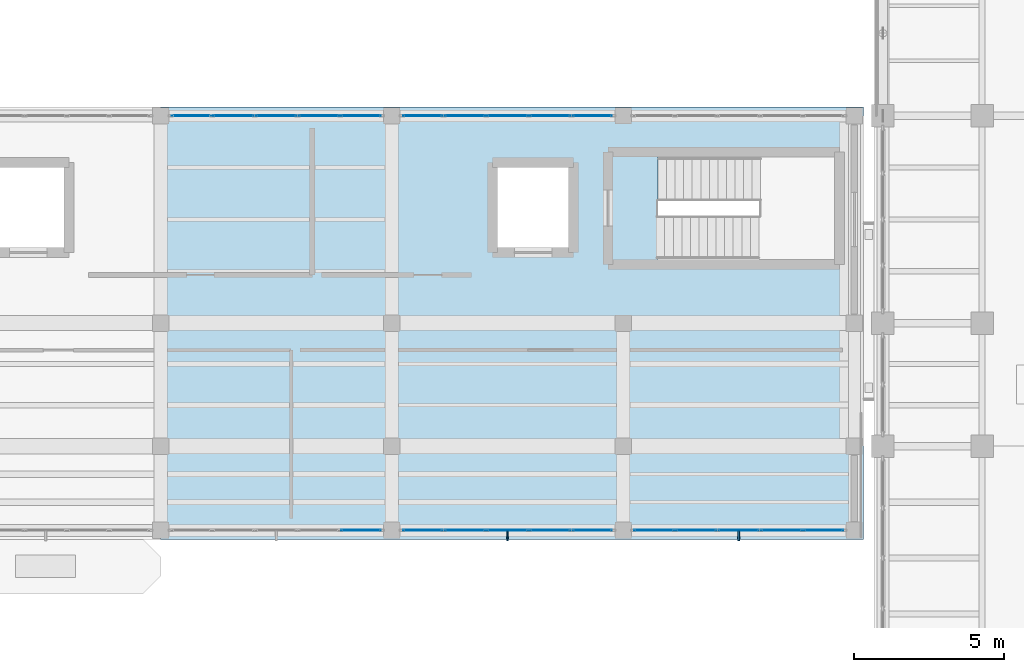
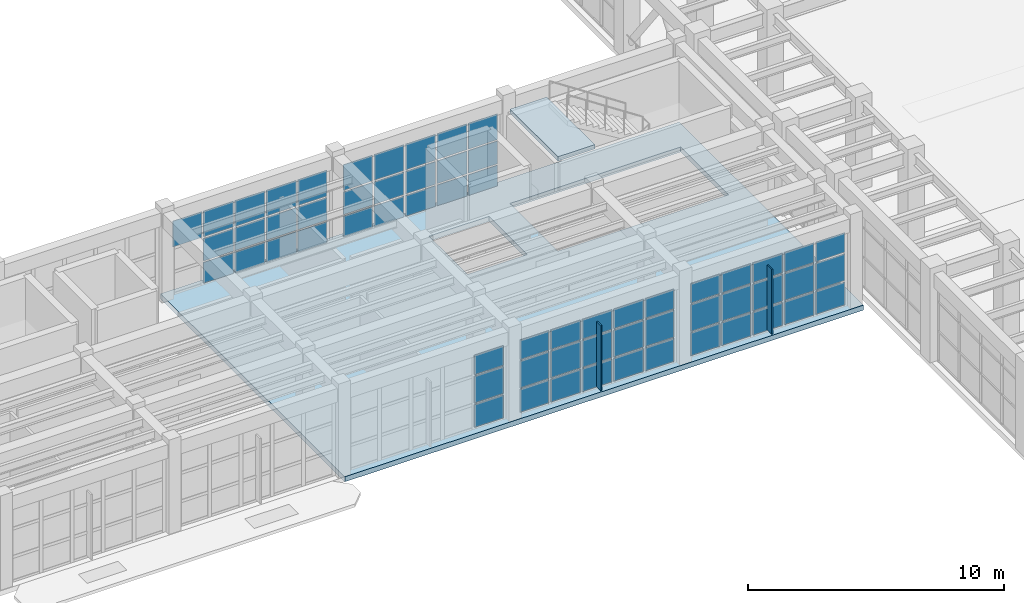
# One storey, part 57 of 85: 63 plates, 2 slabs, 6 elements without a shape of their own.
"""IFC4 building model written with IfcOpenShell, lengths in metres."""

import ifcopenshell
import ifcopenshell.guid

model = None  # the IFC model being written
_history = None  # IfcOwnerHistory: only IFC2X3 demands one
_inside = {}  # id of a spatial element -> (the spatial element, [elements in it])
_under = {}  # id of a project, library or spatial element -> (it, [spatial elements below it])
_declared = {}  # id of a project -> (the project, [libraries it declares])
_typed = {}  # id of a type object -> (the type object, [elements of that type])
_made_of = {}  # id of a material, layer set ... -> (it, [elements and type objects made of it])


def new_model(schema):
    """Start an empty IFC model of exactly this schema.

    Asked for "IFC4X3", IfcOpenShell would pick the latest addendum, in which some entities
    have other attributes; the version numbers below select the first issue.
    IFC2X3 requires an IfcOwnerHistory on every rooted entity: one is made here for all.
    """
    global model, _history
    if schema == "IFC4X3":
        model = ifcopenshell.file(schema_version=(4, 3, 0, 0))
    else:
        model = ifcopenshell.file(schema=schema)
    _inside.clear()
    _under.clear()
    _declared.clear()
    _typed.clear()
    _made_of.clear()
    _history = None
    if model.schema == "IFC2X3":
        org = make("IfcOrganization", Name="unknown")
        user = make(
            "IfcPersonAndOrganization",
            ThePerson=make("IfcPerson", FamilyName="unknown"),
            TheOrganization=org,
        )
        app = make(
            "IfcApplication",
            ApplicationDeveloper=org,
            Version="unknown",
            ApplicationFullName="unknown",
            ApplicationIdentifier="unknown",
        )
        _history = make(
            "IfcOwnerHistory",
            OwningUser=user,
            OwningApplication=app,
            ChangeAction="ADDED",
            CreationDate=0,
        )
    return model


def make(cls, **values):
    """One entity of the class cls with the attributes given. An attribute that is None is left unset."""
    return model.create_entity(
        cls, **{name: value for name, value in values.items() if value is not None}
    )


def rooted(cls, **values):
    """An entity with a GlobalId (a new one), such as an element, a storey or a relation."""
    return make(cls, GlobalId=ifcopenshell.guid.new(), OwnerHistory=_history, **values)


def si_unit(unit_type, name, prefix=None):
    """IfcSIUnit, for example si_unit("LENGTHUNIT", "METRE", prefix="MILLI")."""
    return make("IfcSIUnit", UnitType=unit_type, Prefix=prefix, Name=name)


def assignment(units):
    """IfcUnitAssignment: the units of a project."""
    return None if units is None else make("IfcUnitAssignment", Units=units)


def point(xyz):
    """IfcCartesianPoint."""
    return None if xyz is None else make("IfcCartesianPoint", Coordinates=xyz)


def direction(xyz):
    """IfcDirection."""
    return None if xyz is None else make("IfcDirection", DirectionRatios=xyz)


def frame(location, z_axis=None, x_axis=None):
    """IfcAxis2Placement3D, a coordinate frame: its origin and axes. An axis left out is left unset."""
    return make(
        "IfcAxis2Placement3D",
        Location=point(location),
        Axis=direction(z_axis),
        RefDirection=direction(x_axis),
    )


def frame_2d(location, x_axis=None):
    """IfcAxis2Placement2D, a coordinate frame in the plane: its origin and x axis."""
    return make(
        "IfcAxis2Placement2D", Location=point(location), RefDirection=direction(x_axis)
    )


def origin():
    """The frame at (0, 0, 0) with its axes left unset."""
    return frame((0.0, 0.0, 0.0))


def origin_2d():
    """The frame at (0, 0) in the plane with its x axis left unset."""
    return frame_2d((0.0, 0.0))


def place(relative_to, where):
    """IfcLocalPlacement: puts the frame where relative to a parent placement (None: the world)."""
    return make(
        "IfcLocalPlacement", PlacementRelTo=relative_to, RelativePlacement=where
    )


def context(
    kind, dimensions, precision=None, world=None, true_north=None, identifier=None
):
    """IfcGeometricRepresentationContext, for example the 3D "Model" context."""
    return make(
        "IfcGeometricRepresentationContext",
        ContextIdentifier=identifier,
        ContextType=kind,
        CoordinateSpaceDimension=dimensions,
        Precision=precision,
        WorldCoordinateSystem=world,
        TrueNorth=true_north,
    )


def subcontext(parent, identifier, kind, view, scale=None):
    """IfcGeometricRepresentationSubContext, for example "Body" below "Model"."""
    return make(
        "IfcGeometricRepresentationSubContext",
        ContextIdentifier=identifier,
        ContextType=kind,
        ParentContext=parent,
        TargetScale=scale,
        TargetView=view,
    )


def project(units=None, contexts=None):
    """IfcProject with its units and contexts."""
    return rooted(
        "IfcProject",
        Name="project",
        RepresentationContexts=contexts,
        UnitsInContext=assignment(units),
    )


def spatial(cls, under=None, at=None, **own):
    """A site, building, storey or space (cls), placed at a placement, below another one or the project."""
    s = rooted(cls, ObjectPlacement=at, **own)
    if under is not None:
        _under.setdefault(under.id(), (under, []))[1].append(s)
    return s


def polyline(points):
    """IfcPolyline through the points."""
    return make("IfcPolyline", Points=[point(p) for p in points])


def profile(cls, at=None, kind="AREA", **sizes):
    """A parametric profile (cls). Its sizes go by their IFC names, for example OverallWidth=200.0."""
    return make(cls, ProfileType=kind, Position=at, **sizes)


def rectangle(**sizes):
    """IfcRectangleProfileDef."""
    return profile("IfcRectangleProfileDef", **sizes)


def outline(outer, holes=None, kind="AREA"):
    """IfcArbitraryClosedProfileDef: a profile drawn as a closed curve; with holes, ...WithVoids."""
    if holes is None:
        return make("IfcArbitraryClosedProfileDef", ProfileType=kind, OuterCurve=outer)
    return make(
        "IfcArbitraryProfileDefWithVoids",
        ProfileType=kind,
        OuterCurve=outer,
        InnerCurves=holes,
    )


def extrude(swept, where, along, depth):
    """IfcExtrudedAreaSolid: the profile swept, set in the frame where, extruded along a direction by depth."""
    return make(
        "IfcExtrudedAreaSolid",
        SweptArea=swept,
        Position=where,
        ExtrudedDirection=direction(along),
        Depth=depth,
    )


def shape(context_of_items, identifier, shape_type, items):
    """IfcShapeRepresentation: the items that make up one representation, for example the "Body"."""
    return make(
        "IfcShapeRepresentation",
        ContextOfItems=context_of_items,
        RepresentationIdentifier=identifier,
        RepresentationType=shape_type,
        Items=items,
    )


def material(Name=None, Category=None):
    """IfcMaterial."""
    return make("IfcMaterial", Name=Name, Category=Category)


def layer(
    of_material, thickness, ventilated=None, Name=None, Category=None, Priority=None
):
    """IfcMaterialLayer: one layer of a wall or slab, of a material (None: an air gap)."""
    return make(
        "IfcMaterialLayer",
        Material=of_material,
        LayerThickness=thickness,
        IsVentilated=ventilated,
        Name=Name,
        Category=Category,
        Priority=Priority,
    )


def layer_set(layers, Name=None):
    """IfcMaterialLayerSet."""
    return make("IfcMaterialLayerSet", MaterialLayers=layers, LayerSetName=Name)


def made_of(thing, what):
    """Note that an element or type object is made of a material, layer set ...; save() writes the relation."""
    if what is not None:
        _made_of.setdefault(what.id(), (what, []))[1].append(thing)
    return thing


def type_object(cls, material=None, **own):
    """A type object (cls), such as IfcWallType, which elements share."""
    return made_of(rooted(cls, **own), material)


def element(
    cls,
    number,
    at=None,
    inside=None,
    cuts=None,
    type_object=None,
    material=None,
    context=None,
    identifier="Body",
    shape_type=None,
    held_by="IfcProductDefinitionShape",
    body=None,
    shapes=None,
    **own,
):
    """One element of the class cls, such as IfcWall. Its Tag is "e" and its number.

    at: its placement. inside: the storey or other place that contains it. cuts: it is an
    opening in that element (IfcRelVoidsElement). A single representation is given by context,
    identifier, shape_type and body (its items); several are given by shapes. held_by: the class
    of the entity that holds the representations. save() writes the other relations.
    """
    e = rooted(cls, Tag="e%d" % number, ObjectPlacement=at, **own)
    if body is not None:
        shapes = [shape(context, identifier, shape_type, body)]
    if shapes is not None:
        e.Representation = make(held_by, Representations=shapes)
    if inside is not None:
        _inside.setdefault(inside.id(), (inside, []))[1].append(e)
    if cuts is not None:
        rooted(
            "IfcRelVoidsElement", RelatingBuildingElement=cuts, RelatedOpeningElement=e
        )
    if type_object is not None:
        _typed.setdefault(type_object.id(), (type_object, []))[1].append(e)
    return made_of(e, material)


def aggregate(whole, parts):
    """IfcRelAggregates: a whole, such as a stair, and the parts it consists of."""
    return rooted("IfcRelAggregates", RelatingObject=whole, RelatedObjects=parts)


def save(model, path):
    """Write the relations noted so far, then the file.

    IfcRelAggregates (storeys below a building ...), IfcRelContainedInSpatialStructure (elements
    in a storey), IfcRelDefinesByType, IfcRelAssociatesMaterial and IfcRelDeclares: one each for
    every whole, place, type object, material and project.
    """
    for whole, parts in _under.values():
        aggregate(whole, parts)
    for where, things in _inside.values():
        rooted(
            "IfcRelContainedInSpatialStructure",
            RelatedElements=things,
            RelatingStructure=where,
        )
    for kind, things in _typed.values():
        rooted("IfcRelDefinesByType", RelatedObjects=things, RelatingType=kind)
    for what, things in _made_of.values():
        rooted("IfcRelAssociatesMaterial", RelatedObjects=things, RelatingMaterial=what)
    for by, libraries in _declared.values():
        rooted("IfcRelDeclares", RelatingContext=by, RelatedDefinitions=libraries)
    model.write(path)


model = new_model("IFC4")

# Units and contexts
model_context = context("Model", 3, precision=1e-05, world=origin(), true_north=direction((0.0, 1.0)))
body_context = subcontext(model_context, "Body", "Model", "MODEL_VIEW")
ifc_project = project(units=[si_unit("LENGTHUNIT", "METRE"), si_unit("AREAUNIT", "SQUARE_METRE"), si_unit("VOLUMEUNIT", "CUBIC_METRE"), si_unit("PLANEANGLEUNIT", "RADIAN"), si_unit("MASSUNIT", "GRAM", prefix="KILO")], contexts=[model_context])

# Site, building, storey
site_placement = place(None, origin())
site = spatial("IfcSite", under=ifc_project, at=site_placement, CompositionType="ELEMENT")
building_placement = place(site_placement, origin())
building = spatial("IfcBuilding", under=site, at=building_placement, Name="Candilejo Ridge Gondola Terminal", CompositionType="ELEMENT")
storey_placement = place(building_placement, frame((0.0, 0.0, 4.5)))
storey = spatial("IfcBuildingStorey", under=building, at=storey_placement, Name="L01", CompositionType="ELEMENT", Elevation=4.5)

# Curtain wall, plates
ifc_material_1 = material(Name="Anodised aluminium AA 6063-T6", Category="aluminium")
ifc_layer_1 = layer(ifc_material_1, 0.169921875)
ifc_layer_set_1 = layer_set([ifc_layer_1], Name="ARC-CW-GALLERY-3200-710X359")
curtain_wall_type_1 = type_object("IfcCurtainWallType", Name="ARC-CW-GALLERY-3200-710X359", PredefinedType="NOTDEFINED", material=ifc_layer_set_1)
curtain_wall_1_placement = place(storey_placement, origin())
curtain_wall_1 = element("IfcCurtainWall", 1, at=curtain_wall_1_placement, inside=storey, type_object=curtain_wall_type_1, Name="Curtain wall V3 L01-076", PredefinedType="NOTDEFINED")
ifc_material_2 = material(Name="Low-E laminated double glazing 6+12A+6+1.52PVB+6 mm", Category="glass")
ifc_layer_2 = layer(ifc_material_2, 0.028076171875)
ifc_layer_set_2 = layer_set([ifc_layer_2], Name="ARC-CW-GLAZ-PANEL")
plate_type_1 = type_object("IfcPlateType", Name="ARC-CW-GLAZ-PANEL", PredefinedType="CURTAIN_PANEL", material=ifc_layer_set_2)
plate_1_placement = place(storey_placement, frame((110.878662109375, 36.699951171875, 2.28759765625), z_axis=(0.0, 0.0, 1.0), x_axis=(1.0, 0.0, 0.0)))
plate_1 = element("IfcPlate", 2, at=plate_1_placement, type_object=plate_type_1, Name="CW-71X35 panel 1.3", PredefinedType="CURTAIN_PANEL", context=body_context, shape_type="SweptSolid", body=[
    extrude(rectangle(XDim=1.3076171875, YDim=0.028076171875, at=origin_2d()), origin(), (0.0, 0.0, 1.0), 1.2275390625),
])
plate_2_placement = place(storey_placement, frame((112.280029296875, 36.699951171875, 0.0751953125), z_axis=(0.0, 0.0, 1.0), x_axis=(1.0, 0.0, 0.0)))
plate_2 = element("IfcPlate", 3, at=plate_2_placement, type_object=plate_type_1, Name="CW-71X35 panel 2.1", PredefinedType="CURTAIN_PANEL", context=body_context, shape_type="SweptSolid", body=[
    extrude(rectangle(XDim=1.344970703125, YDim=0.028076171875, at=origin_2d()), origin(), (0.0, 0.0, 1.0), 0.987548828125),
])
plate_3_placement = place(storey_placement, frame((112.280029296875, 36.699951171875, 1.1376953125), z_axis=(0.0, 0.0, 1.0), x_axis=(1.0, 0.0, 0.0)))
plate_3 = element("IfcPlate", 4, at=plate_3_placement, type_object=plate_type_1, Name="CW-71X35 panel 2.2", PredefinedType="CURTAIN_PANEL", context=body_context, shape_type="SweptSolid", body=[
    extrude(rectangle(XDim=1.344970703125, YDim=0.028076171875, at=origin_2d()), origin(), (0.0, 0.0, 1.0), 1.074951171875),
])
plate_4_placement = place(storey_placement, frame((112.280029296875, 36.699951171875, 2.28759765625), z_axis=(0.0, 0.0, 1.0), x_axis=(1.0, 0.0, 0.0)))
plate_4 = element("IfcPlate", 5, at=plate_4_placement, type_object=plate_type_1, Name="CW-71X35 panel 2.3", PredefinedType="CURTAIN_PANEL", context=body_context, shape_type="SweptSolid", body=[
    extrude(rectangle(XDim=1.344970703125, YDim=0.028076171875, at=origin_2d()), origin(), (0.0, 0.0, 1.0), 1.2275390625),
])
plate_5_placement = place(storey_placement, frame((113.699951171875, 36.699951171875, 0.0751953125), z_axis=(0.0, 0.0, 1.0), x_axis=(1.0, 0.0, 0.0)))
plate_5 = element("IfcPlate", 6, at=plate_5_placement, type_object=plate_type_1, Name="CW-71X35 panel 3.1", PredefinedType="CURTAIN_PANEL", context=body_context, shape_type="SweptSolid", body=[
    extrude(rectangle(XDim=1.344970703125, YDim=0.028076171875, at=origin_2d()), origin(), (0.0, 0.0, 1.0), 0.987548828125),
])
plate_6_placement = place(storey_placement, frame((113.699951171875, 36.699951171875, 1.1376953125), z_axis=(0.0, 0.0, 1.0), x_axis=(1.0, 0.0, 0.0)))
plate_6 = element("IfcPlate", 7, at=plate_6_placement, type_object=plate_type_1, Name="CW-71X35 panel 3.2", PredefinedType="CURTAIN_PANEL", context=body_context, shape_type="SweptSolid", body=[
    extrude(rectangle(XDim=1.344970703125, YDim=0.028076171875, at=origin_2d()), origin(), (0.0, 0.0, 1.0), 1.074951171875),
])
plate_7_placement = place(storey_placement, frame((113.699951171875, 36.699951171875, 2.28759765625), z_axis=(0.0, 0.0, 1.0), x_axis=(1.0, 0.0, 0.0)))
plate_7 = element("IfcPlate", 8, at=plate_7_placement, type_object=plate_type_1, Name="CW-71X35 panel 3.3", PredefinedType="CURTAIN_PANEL", context=body_context, shape_type="SweptSolid", body=[
    extrude(rectangle(XDim=1.344970703125, YDim=0.028076171875, at=origin_2d()), origin(), (0.0, 0.0, 1.0), 1.2275390625),
])
plate_8_placement = place(storey_placement, frame((115.1201171875, 36.699951171875, 0.0751953125), z_axis=(0.0, 0.0, 1.0), x_axis=(1.0, 0.0, 0.0)))
plate_8 = element("IfcPlate", 9, at=plate_8_placement, type_object=plate_type_1, Name="CW-71X35 panel 4.1", PredefinedType="CURTAIN_PANEL", context=body_context, shape_type="SweptSolid", body=[
    extrude(rectangle(XDim=1.344970703125, YDim=0.028076171875, at=origin_2d()), origin(), (0.0, 0.0, 1.0), 0.987548828125),
])
plate_9_placement = place(storey_placement, frame((115.1201171875, 36.699951171875, 1.1376953125), z_axis=(0.0, 0.0, 1.0), x_axis=(1.0, 0.0, 0.0)))
plate_9 = element("IfcPlate", 10, at=plate_9_placement, type_object=plate_type_1, Name="CW-71X35 panel 4.2", PredefinedType="CURTAIN_PANEL", context=body_context, shape_type="SweptSolid", body=[
    extrude(rectangle(XDim=1.344970703125, YDim=0.028076171875, at=origin_2d()), origin(), (0.0, 0.0, 1.0), 1.074951171875),
])
plate_10_placement = place(storey_placement, frame((115.1201171875, 36.699951171875, 2.28759765625), z_axis=(0.0, 0.0, 1.0), x_axis=(1.0, 0.0, 0.0)))
plate_10 = element("IfcPlate", 11, at=plate_10_placement, type_object=plate_type_1, Name="CW-71X35 panel 4.3", PredefinedType="CURTAIN_PANEL", context=body_context, shape_type="SweptSolid", body=[
    extrude(rectangle(XDim=1.344970703125, YDim=0.028076171875, at=origin_2d()), origin(), (0.0, 0.0, 1.0), 1.2275390625),
])
plate_11_placement = place(storey_placement, frame((116.521240234375, 36.699951171875, 0.0751953125), z_axis=(0.0, 0.0, 1.0), x_axis=(1.0, 0.0, 0.0)))
plate_11 = element("IfcPlate", 12, at=plate_11_placement, type_object=plate_type_1, Name="CW-71X35 panel 5.1", PredefinedType="CURTAIN_PANEL", context=body_context, shape_type="SweptSolid", body=[
    extrude(rectangle(XDim=1.3076171875, YDim=0.028076171875, at=origin_2d()), origin(), (0.0, 0.0, 1.0), 0.987548828125),
])
plate_12_placement = place(storey_placement, frame((116.521240234375, 36.699951171875, 1.1376953125), z_axis=(0.0, 0.0, 1.0), x_axis=(1.0, 0.0, 0.0)))
plate_12 = element("IfcPlate", 13, at=plate_12_placement, type_object=plate_type_1, Name="CW-71X35 panel 5.2", PredefinedType="CURTAIN_PANEL", context=body_context, shape_type="SweptSolid", body=[
    extrude(rectangle(XDim=1.3076171875, YDim=0.028076171875, at=origin_2d()), origin(), (0.0, 0.0, 1.0), 1.074951171875),
])
plate_13_placement = place(storey_placement, frame((116.521240234375, 36.699951171875, 2.28759765625), z_axis=(0.0, 0.0, 1.0), x_axis=(1.0, 0.0, 0.0)))
plate_13 = element("IfcPlate", 14, at=plate_13_placement, type_object=plate_type_1, Name="CW-71X35 panel 5.3", PredefinedType="CURTAIN_PANEL", context=body_context, shape_type="SweptSolid", body=[
    extrude(rectangle(XDim=1.3076171875, YDim=0.028076171875, at=origin_2d()), origin(), (0.0, 0.0, 1.0), 1.2275390625),
])
aggregate(curtain_wall_1, [plate_1, plate_2, plate_3, plate_4, plate_5, plate_6, plate_7, plate_8, plate_9, plate_10, plate_11, plate_12, plate_13])

ifc_material_3 = material(Name="Anodised aluminium AA 6063-T6", Category="aluminium")
ifc_layer_3 = layer(ifc_material_3, 0.169921875)
ifc_layer_set_3 = layer_set([ifc_layer_3], Name="ARC-CW-CONCOURSE-3600-710X359")
curtain_wall_type_2 = type_object("IfcCurtainWallType", Name="ARC-CW-CONCOURSE-3600-710X359", PredefinedType="NOTDEFINED", material=ifc_layer_set_3)
curtain_wall_2_placement = place(storey_placement, origin())
curtain_wall_2 = element("IfcCurtainWall", 15, at=curtain_wall_2_placement, inside=storey, type_object=curtain_wall_type_2, Name="Curtain wall V3 L01-077", PredefinedType="NOTDEFINED")
plate_14_placement = place(storey_placement, frame((116.521240234375, 22.89990234375, 0.074951171875), z_axis=(0.0, 0.0, 1.0), x_axis=(1.0, 0.0, 0.0)))
plate_14 = element("IfcPlate", 16, at=plate_14_placement, type_object=plate_type_1, Name="CW-71X35 panel 5.1", PredefinedType="CURTAIN_PANEL", context=body_context, shape_type="SweptSolid", body=[
    extrude(rectangle(XDim=1.3076171875, YDim=0.028076171875, at=origin_2d()), origin(), (0.0, 0.0, 1.0), 1.08740234375),
])
plate_15_placement = place(storey_placement, frame((116.521240234375, 22.89990234375, 1.237548828125), z_axis=(0.0, 0.0, 1.0), x_axis=(1.0, 0.0, 0.0)))
plate_15 = element("IfcPlate", 17, at=plate_15_placement, type_object=plate_type_1, Name="CW-71X35 panel 5.2", PredefinedType="CURTAIN_PANEL", context=body_context, shape_type="SweptSolid", body=[
    extrude(rectangle(XDim=1.3076171875, YDim=0.028076171875, at=origin_2d()), origin(), (0.0, 0.0, 1.0), 1.27490234375),
])
plate_16_placement = place(storey_placement, frame((116.521240234375, 22.89990234375, 2.58740234375), z_axis=(0.0, 0.0, 1.0), x_axis=(1.0, 0.0, 0.0)))
plate_16 = element("IfcPlate", 18, at=plate_16_placement, type_object=plate_type_1, Name="CW-71X35 panel 5.3", PredefinedType="CURTAIN_PANEL", context=body_context, shape_type="SweptSolid", body=[
    extrude(rectangle(XDim=1.3076171875, YDim=0.028076171875, at=origin_2d()), origin(), (0.0, 0.0, 1.0), 0.927490234375),
])
aggregate(curtain_wall_2, [plate_14, plate_15, plate_16])

curtain_wall_3_placement = place(storey_placement, origin())
curtain_wall_3 = element("IfcCurtainWall", 19, at=curtain_wall_3_placement, inside=storey, type_object=curtain_wall_type_1, Name="Curtain wall V3 L01-078", PredefinedType="NOTDEFINED")
plate_17_placement = place(storey_placement, frame((118.578857421875, 36.699951171875, 0.0751953125), z_axis=(0.0, 0.0, 1.0), x_axis=(1.0, 0.0, 0.0)))
plate_17 = element("IfcPlate", 20, at=plate_17_placement, type_object=plate_type_1, Name="CW-71X35 panel 1.1", PredefinedType="CURTAIN_PANEL", context=body_context, shape_type="SweptSolid", body=[
    extrude(rectangle(XDim=1.3076171875, YDim=0.028076171875, at=origin_2d()), origin(), (0.0, 0.0, 1.0), 0.987548828125),
])
plate_18_placement = place(storey_placement, frame((118.578857421875, 36.699951171875, 1.1376953125), z_axis=(0.0, 0.0, 1.0), x_axis=(1.0, 0.0, 0.0)))
plate_18 = element("IfcPlate", 21, at=plate_18_placement, type_object=plate_type_1, Name="CW-71X35 panel 1.2", PredefinedType="CURTAIN_PANEL", context=body_context, shape_type="SweptSolid", body=[
    extrude(rectangle(XDim=1.3076171875, YDim=0.028076171875, at=origin_2d()), origin(), (0.0, 0.0, 1.0), 1.074951171875),
])
plate_19_placement = place(storey_placement, frame((118.578857421875, 36.699951171875, 2.28759765625), z_axis=(0.0, 0.0, 1.0), x_axis=(1.0, 0.0, 0.0)))
plate_19 = element("IfcPlate", 22, at=plate_19_placement, type_object=plate_type_1, Name="CW-71X35 panel 1.3", PredefinedType="CURTAIN_PANEL", context=body_context, shape_type="SweptSolid", body=[
    extrude(rectangle(XDim=1.3076171875, YDim=0.028076171875, at=origin_2d()), origin(), (0.0, 0.0, 1.0), 1.2275390625),
])
plate_20_placement = place(storey_placement, frame((119.97998046875, 36.699951171875, 0.0751953125), z_axis=(0.0, 0.0, 1.0), x_axis=(1.0, 0.0, 0.0)))
plate_20 = element("IfcPlate", 23, at=plate_20_placement, type_object=plate_type_1, Name="CW-71X35 panel 2.1", PredefinedType="CURTAIN_PANEL", context=body_context, shape_type="SweptSolid", body=[
    extrude(rectangle(XDim=1.344970703125, YDim=0.028076171875, at=origin_2d()), origin(), (0.0, 0.0, 1.0), 0.987548828125),
])
plate_21_placement = place(storey_placement, frame((119.97998046875, 36.699951171875, 1.1376953125), z_axis=(0.0, 0.0, 1.0), x_axis=(1.0, 0.0, 0.0)))
plate_21 = element("IfcPlate", 24, at=plate_21_placement, type_object=plate_type_1, Name="CW-71X35 panel 2.2", PredefinedType="CURTAIN_PANEL", context=body_context, shape_type="SweptSolid", body=[
    extrude(rectangle(XDim=1.344970703125, YDim=0.028076171875, at=origin_2d()), origin(), (0.0, 0.0, 1.0), 1.074951171875),
])
plate_22_placement = place(storey_placement, frame((119.97998046875, 36.699951171875, 2.28759765625), z_axis=(0.0, 0.0, 1.0), x_axis=(1.0, 0.0, 0.0)))
plate_22 = element("IfcPlate", 25, at=plate_22_placement, type_object=plate_type_1, Name="CW-71X35 panel 2.3", PredefinedType="CURTAIN_PANEL", context=body_context, shape_type="SweptSolid", body=[
    extrude(rectangle(XDim=1.344970703125, YDim=0.028076171875, at=origin_2d()), origin(), (0.0, 0.0, 1.0), 1.2275390625),
])
plate_23_placement = place(storey_placement, frame((121.39990234375, 36.699951171875, 0.0751953125), z_axis=(0.0, 0.0, 1.0), x_axis=(1.0, 0.0, 0.0)))
plate_23 = element("IfcPlate", 26, at=plate_23_placement, type_object=plate_type_1, Name="CW-71X35 panel 3.1", PredefinedType="CURTAIN_PANEL", context=body_context, shape_type="SweptSolid", body=[
    extrude(rectangle(XDim=1.344970703125, YDim=0.028076171875, at=origin_2d()), origin(), (0.0, 0.0, 1.0), 0.987548828125),
])
plate_24_placement = place(storey_placement, frame((121.39990234375, 36.699951171875, 1.1376953125), z_axis=(0.0, 0.0, 1.0), x_axis=(1.0, 0.0, 0.0)))
plate_24 = element("IfcPlate", 27, at=plate_24_placement, type_object=plate_type_1, Name="CW-71X35 panel 3.2", PredefinedType="CURTAIN_PANEL", context=body_context, shape_type="SweptSolid", body=[
    extrude(rectangle(XDim=1.344970703125, YDim=0.028076171875, at=origin_2d()), origin(), (0.0, 0.0, 1.0), 1.074951171875),
])
plate_25_placement = place(storey_placement, frame((121.39990234375, 36.699951171875, 2.28759765625), z_axis=(0.0, 0.0, 1.0), x_axis=(1.0, 0.0, 0.0)))
plate_25 = element("IfcPlate", 28, at=plate_25_placement, type_object=plate_type_1, Name="CW-71X35 panel 3.3", PredefinedType="CURTAIN_PANEL", context=body_context, shape_type="SweptSolid", body=[
    extrude(rectangle(XDim=1.344970703125, YDim=0.028076171875, at=origin_2d()), origin(), (0.0, 0.0, 1.0), 1.2275390625),
])
plate_26_placement = place(storey_placement, frame((122.820068359375, 36.699951171875, 0.0751953125), z_axis=(0.0, 0.0, 1.0), x_axis=(1.0, 0.0, 0.0)))
plate_26 = element("IfcPlate", 29, at=plate_26_placement, type_object=plate_type_1, Name="CW-71X35 panel 4.1", PredefinedType="CURTAIN_PANEL", context=body_context, shape_type="SweptSolid", body=[
    extrude(rectangle(XDim=1.344970703125, YDim=0.028076171875, at=origin_2d()), origin(), (0.0, 0.0, 1.0), 0.987548828125),
])
plate_27_placement = place(storey_placement, frame((122.820068359375, 36.699951171875, 1.1376953125), z_axis=(0.0, 0.0, 1.0), x_axis=(1.0, 0.0, 0.0)))
plate_27 = element("IfcPlate", 30, at=plate_27_placement, type_object=plate_type_1, Name="CW-71X35 panel 4.2", PredefinedType="CURTAIN_PANEL", context=body_context, shape_type="SweptSolid", body=[
    extrude(rectangle(XDim=1.344970703125, YDim=0.028076171875, at=origin_2d()), origin(), (0.0, 0.0, 1.0), 1.074951171875),
])
plate_28_placement = place(storey_placement, frame((122.820068359375, 36.699951171875, 2.28759765625), z_axis=(0.0, 0.0, 1.0), x_axis=(1.0, 0.0, 0.0)))
plate_28 = element("IfcPlate", 31, at=plate_28_placement, type_object=plate_type_1, Name="CW-71X35 panel 4.3", PredefinedType="CURTAIN_PANEL", context=body_context, shape_type="SweptSolid", body=[
    extrude(rectangle(XDim=1.344970703125, YDim=0.028076171875, at=origin_2d()), origin(), (0.0, 0.0, 1.0), 1.2275390625),
])
plate_29_placement = place(storey_placement, frame((124.22119140625, 36.699951171875, 0.0751953125), z_axis=(0.0, 0.0, 1.0), x_axis=(1.0, 0.0, 0.0)))
plate_29 = element("IfcPlate", 32, at=plate_29_placement, type_object=plate_type_1, Name="CW-71X35 panel 5.1", PredefinedType="CURTAIN_PANEL", context=body_context, shape_type="SweptSolid", body=[
    extrude(rectangle(XDim=1.3076171875, YDim=0.028076171875, at=origin_2d()), origin(), (0.0, 0.0, 1.0), 0.987548828125),
])
plate_30_placement = place(storey_placement, frame((124.22119140625, 36.699951171875, 1.1376953125), z_axis=(0.0, 0.0, 1.0), x_axis=(1.0, 0.0, 0.0)))
plate_30 = element("IfcPlate", 33, at=plate_30_placement, type_object=plate_type_1, Name="CW-71X35 panel 5.2", PredefinedType="CURTAIN_PANEL", context=body_context, shape_type="SweptSolid", body=[
    extrude(rectangle(XDim=1.3076171875, YDim=0.028076171875, at=origin_2d()), origin(), (0.0, 0.0, 1.0), 1.074951171875),
])
plate_31_placement = place(storey_placement, frame((124.22119140625, 36.699951171875, 2.28759765625), z_axis=(0.0, 0.0, 1.0), x_axis=(1.0, 0.0, 0.0)))
plate_31 = element("IfcPlate", 34, at=plate_31_placement, type_object=plate_type_1, Name="CW-71X35 panel 5.3", PredefinedType="CURTAIN_PANEL", context=body_context, shape_type="SweptSolid", body=[
    extrude(rectangle(XDim=1.3076171875, YDim=0.028076171875, at=origin_2d()), origin(), (0.0, 0.0, 1.0), 1.2275390625),
])
aggregate(curtain_wall_3, [plate_17, plate_18, plate_19, plate_20, plate_21, plate_22, plate_23, plate_24, plate_25, plate_26, plate_27, plate_28, plate_29, plate_30, plate_31])

curtain_wall_4_placement = place(storey_placement, origin())
curtain_wall_4 = element("IfcCurtainWall", 35, at=curtain_wall_4_placement, inside=storey, type_object=curtain_wall_type_2, Name="Curtain wall V3 L01-079", PredefinedType="NOTDEFINED")
plate_32_placement = place(storey_placement, frame((118.578857421875, 22.89990234375, 0.074951171875), z_axis=(0.0, 0.0, 1.0), x_axis=(1.0, 0.0, 0.0)))
plate_32 = element("IfcPlate", 36, at=plate_32_placement, type_object=plate_type_1, Name="CW-71X35 panel 1.1", PredefinedType="CURTAIN_PANEL", context=body_context, shape_type="SweptSolid", body=[
    extrude(rectangle(XDim=1.3076171875, YDim=0.028076171875, at=origin_2d()), origin(), (0.0, 0.0, 1.0), 1.08740234375),
])
plate_33_placement = place(storey_placement, frame((118.578857421875, 22.89990234375, 1.237548828125), z_axis=(0.0, 0.0, 1.0), x_axis=(1.0, 0.0, 0.0)))
plate_33 = element("IfcPlate", 37, at=plate_33_placement, type_object=plate_type_1, Name="CW-71X35 panel 1.2", PredefinedType="CURTAIN_PANEL", context=body_context, shape_type="SweptSolid", body=[
    extrude(rectangle(XDim=1.3076171875, YDim=0.028076171875, at=origin_2d()), origin(), (0.0, 0.0, 1.0), 1.27490234375),
])
plate_34_placement = place(storey_placement, frame((118.578857421875, 22.89990234375, 2.58740234375), z_axis=(0.0, 0.0, 1.0), x_axis=(1.0, 0.0, 0.0)))
plate_34 = element("IfcPlate", 38, at=plate_34_placement, type_object=plate_type_1, Name="CW-71X35 panel 1.3", PredefinedType="CURTAIN_PANEL", context=body_context, shape_type="SweptSolid", body=[
    extrude(rectangle(XDim=1.3076171875, YDim=0.028076171875, at=origin_2d()), origin(), (0.0, 0.0, 1.0), 0.927490234375),
])
plate_35_placement = place(storey_placement, frame((119.97998046875, 22.89990234375, 0.074951171875), z_axis=(0.0, 0.0, 1.0), x_axis=(1.0, 0.0, 0.0)))
plate_35 = element("IfcPlate", 39, at=plate_35_placement, type_object=plate_type_1, Name="CW-71X35 panel 2.1", PredefinedType="CURTAIN_PANEL", context=body_context, shape_type="SweptSolid", body=[
    extrude(rectangle(XDim=1.344970703125, YDim=0.028076171875, at=origin_2d()), origin(), (0.0, 0.0, 1.0), 1.08740234375),
])
plate_36_placement = place(storey_placement, frame((119.97998046875, 22.89990234375, 1.237548828125), z_axis=(0.0, 0.0, 1.0), x_axis=(1.0, 0.0, 0.0)))
plate_36 = element("IfcPlate", 40, at=plate_36_placement, type_object=plate_type_1, Name="CW-71X35 panel 2.2", PredefinedType="CURTAIN_PANEL", context=body_context, shape_type="SweptSolid", body=[
    extrude(rectangle(XDim=1.344970703125, YDim=0.028076171875, at=origin_2d()), origin(), (0.0, 0.0, 1.0), 1.27490234375),
])
plate_37_placement = place(storey_placement, frame((119.97998046875, 22.89990234375, 2.58740234375), z_axis=(0.0, 0.0, 1.0), x_axis=(1.0, 0.0, 0.0)))
plate_37 = element("IfcPlate", 41, at=plate_37_placement, type_object=plate_type_1, Name="CW-71X35 panel 2.3", PredefinedType="CURTAIN_PANEL", context=body_context, shape_type="SweptSolid", body=[
    extrude(rectangle(XDim=1.344970703125, YDim=0.028076171875, at=origin_2d()), origin(), (0.0, 0.0, 1.0), 0.927490234375),
])
plate_38_placement = place(storey_placement, frame((121.39990234375, 22.89990234375, 0.074951171875), z_axis=(0.0, 0.0, 1.0), x_axis=(1.0, 0.0, 0.0)))
plate_38 = element("IfcPlate", 42, at=plate_38_placement, type_object=plate_type_1, Name="CW-71X35 panel 3.1", PredefinedType="CURTAIN_PANEL", context=body_context, shape_type="SweptSolid", body=[
    extrude(rectangle(XDim=1.344970703125, YDim=0.028076171875, at=origin_2d()), origin(), (0.0, 0.0, 1.0), 1.08740234375),
])
plate_39_placement = place(storey_placement, frame((121.39990234375, 22.89990234375, 1.237548828125), z_axis=(0.0, 0.0, 1.0), x_axis=(1.0, 0.0, 0.0)))
plate_39 = element("IfcPlate", 43, at=plate_39_placement, type_object=plate_type_1, Name="CW-71X35 panel 3.2", PredefinedType="CURTAIN_PANEL", context=body_context, shape_type="SweptSolid", body=[
    extrude(rectangle(XDim=1.344970703125, YDim=0.028076171875, at=origin_2d()), origin(), (0.0, 0.0, 1.0), 1.27490234375),
])
plate_40_placement = place(storey_placement, frame((121.39990234375, 22.89990234375, 2.58740234375), z_axis=(0.0, 0.0, 1.0), x_axis=(1.0, 0.0, 0.0)))
plate_40 = element("IfcPlate", 44, at=plate_40_placement, type_object=plate_type_1, Name="CW-71X35 panel 3.3", PredefinedType="CURTAIN_PANEL", context=body_context, shape_type="SweptSolid", body=[
    extrude(rectangle(XDim=1.344970703125, YDim=0.028076171875, at=origin_2d()), origin(), (0.0, 0.0, 1.0), 0.927490234375),
])
plate_41_placement = place(storey_placement, frame((122.820068359375, 22.89990234375, 0.074951171875), z_axis=(0.0, 0.0, 1.0), x_axis=(1.0, 0.0, 0.0)))
plate_41 = element("IfcPlate", 45, at=plate_41_placement, type_object=plate_type_1, Name="CW-71X35 panel 4.1", PredefinedType="CURTAIN_PANEL", context=body_context, shape_type="SweptSolid", body=[
    extrude(rectangle(XDim=1.344970703125, YDim=0.028076171875, at=origin_2d()), origin(), (0.0, 0.0, 1.0), 1.08740234375),
])
plate_42_placement = place(storey_placement, frame((122.820068359375, 22.89990234375, 1.237548828125), z_axis=(0.0, 0.0, 1.0), x_axis=(1.0, 0.0, 0.0)))
plate_42 = element("IfcPlate", 46, at=plate_42_placement, type_object=plate_type_1, Name="CW-71X35 panel 4.2", PredefinedType="CURTAIN_PANEL", context=body_context, shape_type="SweptSolid", body=[
    extrude(rectangle(XDim=1.344970703125, YDim=0.028076171875, at=origin_2d()), origin(), (0.0, 0.0, 1.0), 1.27490234375),
])
plate_43_placement = place(storey_placement, frame((122.820068359375, 22.89990234375, 2.58740234375), z_axis=(0.0, 0.0, 1.0), x_axis=(1.0, 0.0, 0.0)))
plate_43 = element("IfcPlate", 47, at=plate_43_placement, type_object=plate_type_1, Name="CW-71X35 panel 4.3", PredefinedType="CURTAIN_PANEL", context=body_context, shape_type="SweptSolid", body=[
    extrude(rectangle(XDim=1.344970703125, YDim=0.028076171875, at=origin_2d()), origin(), (0.0, 0.0, 1.0), 0.927490234375),
])
plate_44_placement = place(storey_placement, frame((124.22119140625, 22.89990234375, 0.074951171875), z_axis=(0.0, 0.0, 1.0), x_axis=(1.0, 0.0, 0.0)))
plate_44 = element("IfcPlate", 48, at=plate_44_placement, type_object=plate_type_1, Name="CW-71X35 panel 5.1", PredefinedType="CURTAIN_PANEL", context=body_context, shape_type="SweptSolid", body=[
    extrude(rectangle(XDim=1.3076171875, YDim=0.028076171875, at=origin_2d()), origin(), (0.0, 0.0, 1.0), 1.08740234375),
])
plate_45_placement = place(storey_placement, frame((124.22119140625, 22.89990234375, 1.237548828125), z_axis=(0.0, 0.0, 1.0), x_axis=(1.0, 0.0, 0.0)))
plate_45 = element("IfcPlate", 49, at=plate_45_placement, type_object=plate_type_1, Name="CW-71X35 panel 5.2", PredefinedType="CURTAIN_PANEL", context=body_context, shape_type="SweptSolid", body=[
    extrude(rectangle(XDim=1.3076171875, YDim=0.028076171875, at=origin_2d()), origin(), (0.0, 0.0, 1.0), 1.27490234375),
])
plate_46_placement = place(storey_placement, frame((124.22119140625, 22.89990234375, 2.58740234375), z_axis=(0.0, 0.0, 1.0), x_axis=(1.0, 0.0, 0.0)))
plate_46 = element("IfcPlate", 50, at=plate_46_placement, type_object=plate_type_1, Name="CW-71X35 panel 5.3", PredefinedType="CURTAIN_PANEL", context=body_context, shape_type="SweptSolid", body=[
    extrude(rectangle(XDim=1.3076171875, YDim=0.028076171875, at=origin_2d()), origin(), (0.0, 0.0, 1.0), 0.927490234375),
])
aggregate(curtain_wall_4, [plate_32, plate_33, plate_34, plate_35, plate_36, plate_37, plate_38, plate_39, plate_40, plate_41, plate_42, plate_43, plate_44, plate_45, plate_46])

curtain_wall_5_placement = place(storey_placement, origin())
curtain_wall_5 = element("IfcCurtainWall", 51, at=curtain_wall_5_placement, inside=storey, type_object=curtain_wall_type_2, Name="Curtain wall V3 L01-081", PredefinedType="NOTDEFINED")
plate_47_placement = place(storey_placement, frame((126.27880859375, 22.89990234375, 0.074951171875), z_axis=(0.0, 0.0, 1.0), x_axis=(1.0, 0.0, 0.0)))
plate_47 = element("IfcPlate", 52, at=plate_47_placement, type_object=plate_type_1, Name="CW-71X35 panel 1.1", PredefinedType="CURTAIN_PANEL", context=body_context, shape_type="SweptSolid", body=[
    extrude(rectangle(XDim=1.3076171875, YDim=0.028076171875, at=origin_2d()), origin(), (0.0, 0.0, 1.0), 1.08740234375),
])
plate_48_placement = place(storey_placement, frame((126.27880859375, 22.89990234375, 1.237548828125), z_axis=(0.0, 0.0, 1.0), x_axis=(1.0, 0.0, 0.0)))
plate_48 = element("IfcPlate", 53, at=plate_48_placement, type_object=plate_type_1, Name="CW-71X35 panel 1.2", PredefinedType="CURTAIN_PANEL", context=body_context, shape_type="SweptSolid", body=[
    extrude(rectangle(XDim=1.3076171875, YDim=0.028076171875, at=origin_2d()), origin(), (0.0, 0.0, 1.0), 1.27490234375),
])
plate_49_placement = place(storey_placement, frame((126.27880859375, 22.89990234375, 2.58740234375), z_axis=(0.0, 0.0, 1.0), x_axis=(1.0, 0.0, 0.0)))
plate_49 = element("IfcPlate", 54, at=plate_49_placement, type_object=plate_type_1, Name="CW-71X35 panel 1.3", PredefinedType="CURTAIN_PANEL", context=body_context, shape_type="SweptSolid", body=[
    extrude(rectangle(XDim=1.3076171875, YDim=0.028076171875, at=origin_2d()), origin(), (0.0, 0.0, 1.0), 0.927490234375),
])
plate_50_placement = place(storey_placement, frame((127.679931640625, 22.89990234375, 0.074951171875), z_axis=(0.0, 0.0, 1.0), x_axis=(1.0, 0.0, 0.0)))
plate_50 = element("IfcPlate", 55, at=plate_50_placement, type_object=plate_type_1, Name="CW-71X35 panel 2.1", PredefinedType="CURTAIN_PANEL", context=body_context, shape_type="SweptSolid", body=[
    extrude(rectangle(XDim=1.344970703125, YDim=0.028076171875, at=origin_2d()), origin(), (0.0, 0.0, 1.0), 1.08740234375),
])
plate_51_placement = place(storey_placement, frame((127.679931640625, 22.89990234375, 1.237548828125), z_axis=(0.0, 0.0, 1.0), x_axis=(1.0, 0.0, 0.0)))
plate_51 = element("IfcPlate", 56, at=plate_51_placement, type_object=plate_type_1, Name="CW-71X35 panel 2.2", PredefinedType="CURTAIN_PANEL", context=body_context, shape_type="SweptSolid", body=[
    extrude(rectangle(XDim=1.344970703125, YDim=0.028076171875, at=origin_2d()), origin(), (0.0, 0.0, 1.0), 1.27490234375),
])
plate_52_placement = place(storey_placement, frame((127.679931640625, 22.89990234375, 2.58740234375), z_axis=(0.0, 0.0, 1.0), x_axis=(1.0, 0.0, 0.0)))
plate_52 = element("IfcPlate", 57, at=plate_52_placement, type_object=plate_type_1, Name="CW-71X35 panel 2.3", PredefinedType="CURTAIN_PANEL", context=body_context, shape_type="SweptSolid", body=[
    extrude(rectangle(XDim=1.344970703125, YDim=0.028076171875, at=origin_2d()), origin(), (0.0, 0.0, 1.0), 0.927490234375),
])
plate_53_placement = place(storey_placement, frame((129.10009765625, 22.89990234375, 0.074951171875), z_axis=(0.0, 0.0, 1.0), x_axis=(1.0, 0.0, 0.0)))
plate_53 = element("IfcPlate", 58, at=plate_53_placement, type_object=plate_type_1, Name="CW-71X35 panel 3.1", PredefinedType="CURTAIN_PANEL", context=body_context, shape_type="SweptSolid", body=[
    extrude(rectangle(XDim=1.344970703125, YDim=0.028076171875, at=origin_2d()), origin(), (0.0, 0.0, 1.0), 1.08740234375),
])
plate_54_placement = place(storey_placement, frame((129.10009765625, 22.89990234375, 1.237548828125), z_axis=(0.0, 0.0, 1.0), x_axis=(1.0, 0.0, 0.0)))
plate_54 = element("IfcPlate", 59, at=plate_54_placement, type_object=plate_type_1, Name="CW-71X35 panel 3.2", PredefinedType="CURTAIN_PANEL", context=body_context, shape_type="SweptSolid", body=[
    extrude(rectangle(XDim=1.344970703125, YDim=0.028076171875, at=origin_2d()), origin(), (0.0, 0.0, 1.0), 1.27490234375),
])
plate_55_placement = place(storey_placement, frame((129.10009765625, 22.89990234375, 2.58740234375), z_axis=(0.0, 0.0, 1.0), x_axis=(1.0, 0.0, 0.0)))
plate_55 = element("IfcPlate", 60, at=plate_55_placement, type_object=plate_type_1, Name="CW-71X35 panel 3.3", PredefinedType="CURTAIN_PANEL", context=body_context, shape_type="SweptSolid", body=[
    extrude(rectangle(XDim=1.344970703125, YDim=0.028076171875, at=origin_2d()), origin(), (0.0, 0.0, 1.0), 0.927490234375),
])
plate_56_placement = place(storey_placement, frame((130.52001953125, 22.89990234375, 0.074951171875), z_axis=(0.0, 0.0, 1.0), x_axis=(1.0, 0.0, 0.0)))
plate_56 = element("IfcPlate", 61, at=plate_56_placement, type_object=plate_type_1, Name="CW-71X35 panel 4.1", PredefinedType="CURTAIN_PANEL", context=body_context, shape_type="SweptSolid", body=[
    extrude(rectangle(XDim=1.344970703125, YDim=0.028076171875, at=origin_2d()), origin(), (0.0, 0.0, 1.0), 1.08740234375),
])
plate_57_placement = place(storey_placement, frame((130.52001953125, 22.89990234375, 1.237548828125), z_axis=(0.0, 0.0, 1.0), x_axis=(1.0, 0.0, 0.0)))
plate_57 = element("IfcPlate", 62, at=plate_57_placement, type_object=plate_type_1, Name="CW-71X35 panel 4.2", PredefinedType="CURTAIN_PANEL", context=body_context, shape_type="SweptSolid", body=[
    extrude(rectangle(XDim=1.344970703125, YDim=0.028076171875, at=origin_2d()), origin(), (0.0, 0.0, 1.0), 1.27490234375),
])
plate_58_placement = place(storey_placement, frame((130.52001953125, 22.89990234375, 2.58740234375), z_axis=(0.0, 0.0, 1.0), x_axis=(1.0, 0.0, 0.0)))
plate_58 = element("IfcPlate", 63, at=plate_58_placement, type_object=plate_type_1, Name="CW-71X35 panel 4.3", PredefinedType="CURTAIN_PANEL", context=body_context, shape_type="SweptSolid", body=[
    extrude(rectangle(XDim=1.344970703125, YDim=0.028076171875, at=origin_2d()), origin(), (0.0, 0.0, 1.0), 0.927490234375),
])
plate_59_placement = place(storey_placement, frame((131.921142578125, 22.89990234375, 0.074951171875), z_axis=(0.0, 0.0, 1.0), x_axis=(1.0, 0.0, 0.0)))
plate_59 = element("IfcPlate", 64, at=plate_59_placement, type_object=plate_type_1, Name="CW-71X35 panel 5.1", PredefinedType="CURTAIN_PANEL", context=body_context, shape_type="SweptSolid", body=[
    extrude(rectangle(XDim=1.3076171875, YDim=0.028076171875, at=origin_2d()), origin(), (0.0, 0.0, 1.0), 1.08740234375),
])
plate_60_placement = place(storey_placement, frame((131.921142578125, 22.89990234375, 1.237548828125), z_axis=(0.0, 0.0, 1.0), x_axis=(1.0, 0.0, 0.0)))
plate_60 = element("IfcPlate", 65, at=plate_60_placement, type_object=plate_type_1, Name="CW-71X35 panel 5.2", PredefinedType="CURTAIN_PANEL", context=body_context, shape_type="SweptSolid", body=[
    extrude(rectangle(XDim=1.3076171875, YDim=0.028076171875, at=origin_2d()), origin(), (0.0, 0.0, 1.0), 1.27490234375),
])
plate_61_placement = place(storey_placement, frame((131.921142578125, 22.89990234375, 2.58740234375), z_axis=(0.0, 0.0, 1.0), x_axis=(1.0, 0.0, 0.0)))
plate_61 = element("IfcPlate", 66, at=plate_61_placement, type_object=plate_type_1, Name="CW-71X35 panel 5.3", PredefinedType="CURTAIN_PANEL", context=body_context, shape_type="SweptSolid", body=[
    extrude(rectangle(XDim=1.3076171875, YDim=0.028076171875, at=origin_2d()), origin(), (0.0, 0.0, 1.0), 0.927490234375),
])
aggregate(curtain_wall_5, [plate_47, plate_48, plate_49, plate_50, plate_51, plate_52, plate_53, plate_54, plate_55, plate_56, plate_57, plate_58, plate_59, plate_60, plate_61])

# Plates
ifc_material_4 = material(Name="Extruded architectural terracotta fin", Category="masonry")
plate_type_2 = type_object("IfcPlateType", Name="ARC-SOLAR-FIN-340", PredefinedType="USERDEFINED", material=ifc_material_4)
for number, where, z_axis, x_axis, name in (
    (67, (121.39990234375, 22.716064453125, 0.099853515625), (0.0, 0.0, 1.0), (1.0, 0.0, 0.0), "Terracotta solar fin V3-22"),
    (68, (129.10009765625, 22.716064453125, 0.099853515625), (0.0, 0.0, 1.0), (1.0, 0.0, 0.0), "Terracotta solar fin V3-23"),
):
    element("IfcPlate", number, at=place(storey_placement, frame(where, z_axis=z_axis, x_axis=x_axis)), inside=storey, type_object=plate_type_2, Name=name, ObjectType="SOLAR FIN", PredefinedType="USERDEFINED", context=body_context, shape_type="SweptSolid", body=[
        extrude(rectangle(XDim=0.06494140625, YDim=0.340087890625, at=origin_2d()), origin(), (0.0, 0.0, 1.0), 3.10009765625),
    ])

# Slab
ifc_material_5 = material(Name="Concrete f'c 35 MPa (C35/45)", Category="concrete")
ifc_layer_4 = layer(ifc_material_5, 0.239990234375)
ifc_layer_set_4 = layer_set([ifc_layer_4], Name="STR-FLOOR-SLAB-240")
slab_type_1 = type_object("IfcSlabType", Name="STR-FLOOR-SLAB-240", PredefinedType="FLOOR", material=ifc_layer_set_4)
slab_1_placement = place(storey_placement, frame((0.0, 0.0, -0.239990234375)))
element("IfcSlab", 69, at=slab_1_placement, inside=storey, type_object=slab_type_1, Name="Slab SLB-V3-L01-E", PredefinedType="FLOOR", context=body_context, shape_type="SweptSolid", body=[
    extrude(outline(polyline([(109.85009765625, 22.60009765625), (133.25, 22.60009765625), (133.25, 37.0), (109.85009765625, 37.0), (109.85009765625, 22.60009765625)]), holes=[polyline([(124.75, 31.75), (132.449951171875, 31.75), (132.449951171875, 35.5), (124.75, 35.5), (124.75, 31.75)]), polyline([(120.89990234375, 32.14990234375), (123.60009765625, 32.14990234375), (123.60009765625, 35.14990234375), (120.89990234375, 35.14990234375), (120.89990234375, 32.14990234375)])]), origin(), (0.0, 0.0, 1.0), 0.239990234375),
])

# Stair, slab
ifc_material_6 = material(Name="Concrete f'c 35 MPa (C35/45)", Category="concrete")
stair_type = type_object("IfcStairType", Name="STR-STAIR-1450-4500", PredefinedType="HALF_TURN_STAIR", material=ifc_material_6)
stair_placement = place(storey_placement, origin())
stair = element("IfcStair", 70, at=stair_placement, inside=storey, type_object=stair_type, Name="Enclosed fire exit stair ST-V3B-L01", PredefinedType="HALF_TURN_STAIR")
ifc_material_7 = material(Name="Concrete f'c 35 MPa (C35/45)", Category="concrete")
ifc_layer_5 = layer(ifc_material_7, 0.199951171875)
ifc_layer_set_5 = layer_set([ifc_layer_5], Name="STR-STAIR-LANDING-200")
slab_type_2 = type_object("IfcSlabType", Name="STR-STAIR-LANDING-200", PredefinedType="LANDING", material=ifc_layer_set_5)
slab_2_placement = place(storey_placement, frame((0.0, 0.0, 4.300048828125)))
slab_2 = element("IfcSlab", 71, at=slab_2_placement, type_object=slab_type_2, Name="Stair floor landing ST-V3B-L01-ARR-L02", PredefinedType="LANDING", context=body_context, shape_type="SweptSolid", body=[
    extrude(outline(polyline([(124.75, 31.75), (126.409912109375, 31.75), (126.409912109375, 35.5), (124.75, 35.5), (124.75, 31.75)])), origin(), (0.0, 0.0, 1.0), 0.199951171875),
])
aggregate(stair, [slab_2])

save(model, "model.ifc")
